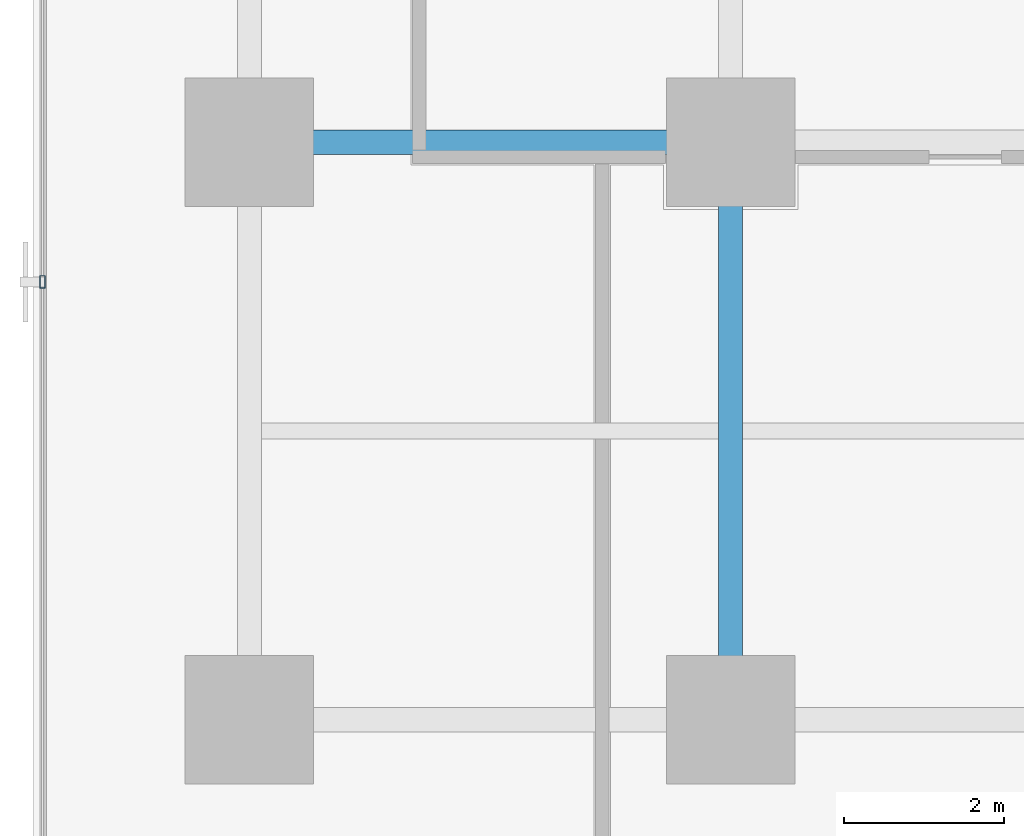
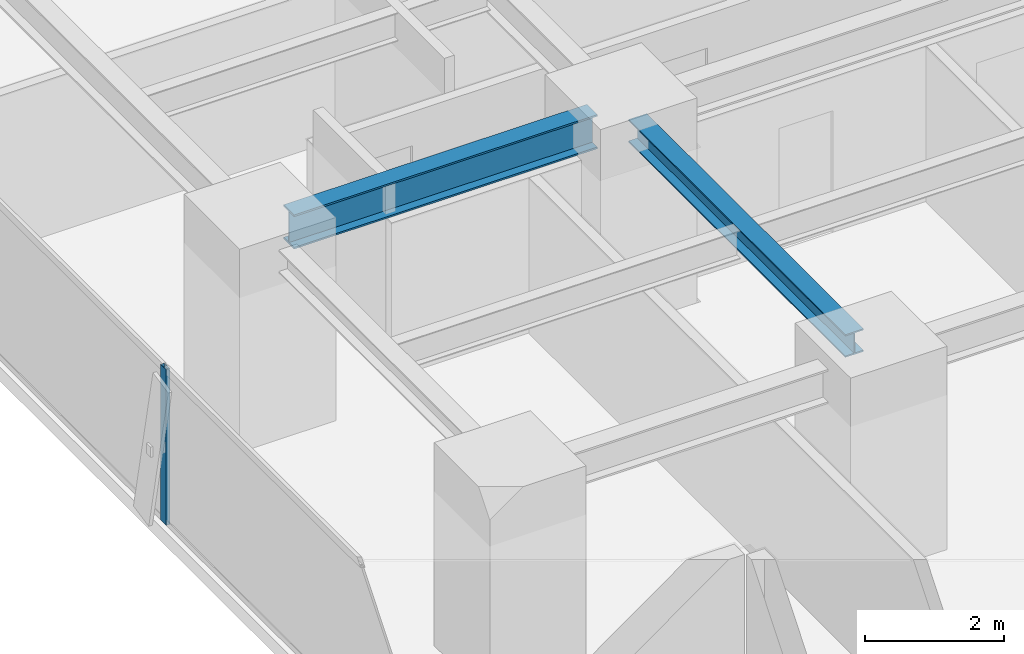
# One storey, part 4 of 37: 2 beams, 1 member, 1 element without a shape of its own.
"""IFC4 building model written with IfcOpenShell, lengths in metres."""

from ifc_helpers import new_model, si_unit, direction, frame, origin, origin_2d, place, context, subcontext, project, spatial, hollow_rectangle, i_section, extrude, source, transform, mapped, material, layer, layer_set, material_profile, profile_set, type_object, element, aggregate, save


model = new_model("IFC4")

# Units and contexts
model_context = context("Model", 3, precision=1e-05, world=origin(), true_north=direction((0.0, 1.0)))
body_context = subcontext(model_context, "Body", "Model", "MODEL_VIEW")
ifc_project = project(units=[si_unit("LENGTHUNIT", "METRE"), si_unit("AREAUNIT", "SQUARE_METRE"), si_unit("VOLUMEUNIT", "CUBIC_METRE"), si_unit("PLANEANGLEUNIT", "RADIAN"), si_unit("MASSUNIT", "GRAM", prefix="KILO")], contexts=[model_context])

# Site, building, storey
site_placement = place(None, origin())
site = spatial("IfcSite", under=ifc_project, at=site_placement, CompositionType="ELEMENT")
building_placement = place(site_placement, origin())
building = spatial("IfcBuilding", under=site, at=building_placement, Name="Sumidabori Civic Tower", CompositionType="ELEMENT")
storey_placement = place(building_placement, frame((0.0, 0.0, 110.0)))
storey = spatial("IfcBuildingStorey", under=building, at=storey_placement, Name="L28", CompositionType="ELEMENT", Elevation=110.0)

# Beams
ifc_material_1 = material(Name="Steel SN490", Category="steel")
ifc_material_profile_1 = material_profile(ifc_material_1, i_section(OverallWidth=0.300048828125, OverallDepth=0.60009765625, WebThickness=0.015380859375, FlangeThickness=0.030029296875, at=origin_2d()), Name="HE 600 B")
ifc_profile_set_1 = profile_set([ifc_material_profile_1], Name="Steel SN490")
beam_type_1 = type_object("IfcBeamType", Name="BM-GIRD-600", PredefinedType="BEAM", material=ifc_profile_set_1)
shared_shape_1 = source(origin(), body_context, "Body", "SweptSolid", [
    extrude(i_section(OverallWidth=0.300048828125, OverallDepth=0.60009765625, WebThickness=0.015380859375, FlangeThickness=0.030029296875, at=origin_2d()), origin(), (0.0, 0.0, 1.0), 5.0400390625),
])
beam_1_placement = place(storey_placement, frame((-22.320068359375, -10.800048828125, 3.06005859375), z_axis=(1.0, 0.0, 0.0), x_axis=(0.0, 1.0, 0.0)))
element("IfcBeam", 1, at=beam_1_placement, inside=storey, type_object=beam_type_1, Name="Primary Girder L28 GX-07", PredefinedType="BEAM", context=body_context, shape_type="MappedRepresentation", body=[
    mapped(shared_shape_1, transform((0.0, 0.0, 0.0), x_axis=(1.0, 0.0, 0.0), y_axis=(0.0, 1.0, 0.0), z_axis=(0.0, 0.0, 1.0), scale=1.0)),
])
ifc_material_profile_2 = material_profile(ifc_material_1, i_section(OverallWidth=0.300048828125, OverallDepth=0.39990234375, WebThickness=0.013427734375, FlangeThickness=0.02392578125, at=origin_2d()), Name="HE 400 B")
ifc_profile_set_2 = profile_set([ifc_material_profile_2], Name="Steel SN490")
beam_type_2 = type_object("IfcBeamType", Name="BM-GIRD-400", PredefinedType="BEAM", material=ifc_profile_set_2)
shared_shape_2 = source(origin(), body_context, "Body", "SweptSolid", [
    extrude(i_section(OverallWidth=0.300048828125, OverallDepth=0.39990234375, WebThickness=0.013427734375, FlangeThickness=0.02392578125, at=origin_2d()), origin(), (0.0, 0.0, 1.0), 6.239990234375),
])
beam_2_placement = place(storey_placement, frame((-16.800048828125, -17.52001953125, 3.159912109375), z_axis=(0.0, 1.0, 0.0), x_axis=(-1.0, 0.0, 0.0)))
element("IfcBeam", 2, at=beam_2_placement, inside=storey, type_object=beam_type_2, Name="Primary Girder L28 GY-25", PredefinedType="BEAM", context=body_context, shape_type="MappedRepresentation", body=[
    mapped(shared_shape_2, transform((0.0, 0.0, 0.0), x_axis=(1.0, 0.0, 0.0), y_axis=(0.0, 1.0, 0.0), z_axis=(0.0, 0.0, 1.0), scale=1.0)),
])

# Curtain wall, member
ifc_material_2 = material(Name="Anodised Bronze Aluminium AW-6063-T6", Category="aluminium")
ifc_layer = layer(ifc_material_2, 0.179931640625, Name="Anodised Bronze Aluminium AW-6063-T6")
ifc_layer_set = layer_set([ifc_layer], Name="Anodised Bronze Aluminium AW-6063-T6")
curtain_wall_type = type_object("IfcCurtainWallType", Name="CW-SYS-3", PredefinedType="NOTDEFINED", material=ifc_layer_set)
curtain_wall_placement = place(storey_placement, origin())
curtain_wall = element("IfcCurtainWall", 3, at=curtain_wall_placement, inside=storey, type_object=curtain_wall_type, Name="Curtain Wall CW:L28:R10", PredefinedType="NOTDEFINED")
ifc_material_profile_3 = material_profile(ifc_material_2, hollow_rectangle(XDim=0.06494140625, YDim=0.159912109375, WallThickness=0.0048828125, at=origin_2d()), Name="ALU MULLION 160x65")
ifc_profile_set_3 = profile_set([ifc_material_profile_3], Name="Anodised Bronze Aluminium AW-6063-T6")
member_type = type_object("IfcMemberType", Name="CW-MUL-160", PredefinedType="MULLION", material=ifc_profile_set_3)
shared_shape_3 = source(origin(), body_context, "Body", "SweptSolid", [
    extrude(hollow_rectangle(XDim=0.06494140625, YDim=0.159912109375, WallThickness=0.0048828125, at=origin_2d()), origin(), (0.0, 0.0, 1.0), 2.739990234375),
])
member_placement = place(storey_placement, frame((-25.3798828125, -12.5419921875, 0.0), z_axis=(0.0, 0.0, 1.0), x_axis=(1.0, 0.0, 0.0)))
member = element("IfcMember", 4, at=member_placement, type_object=member_type, Name="CW-3 mullion 5", PredefinedType="MULLION", context=body_context, shape_type="MappedRepresentation", body=[
    mapped(shared_shape_3, transform((0.0, 0.0, 0.0), x_axis=(1.0, 0.0, 0.0), y_axis=(0.0, 1.0, 0.0), z_axis=(0.0, 0.0, 1.0), scale=1.0)),
])
aggregate(curtain_wall, [member])

save(model, "model.ifc")
